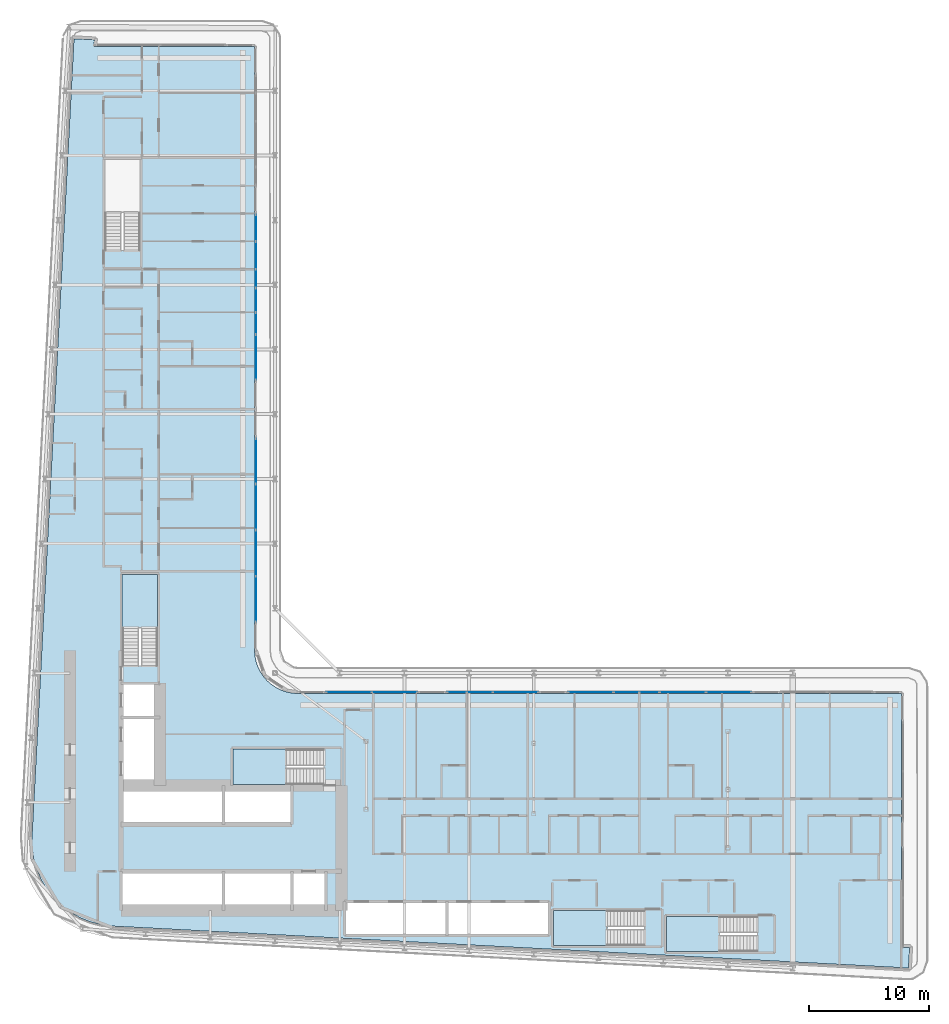
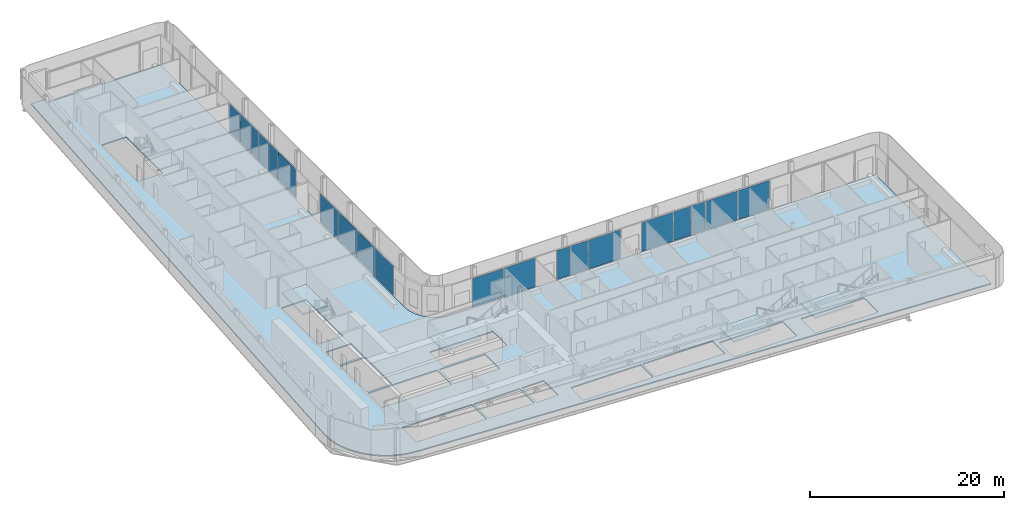
# One storey, part 10 of 27: 20 plates, 5 slabs, 12 elements without a shape of their own.
"""IFC4 building model written with IfcOpenShell, lengths in metres."""

from ifc_helpers import new_model, si_unit, direction, frame, origin, origin_2d, place, context, subcontext, project, spatial, polyline, rectangle, outline, extrude, material, layer, layer_set, type_object, element, aggregate, save


model = new_model("IFC4")

# Units and contexts
model_context = context("Model", 3, precision=1e-05, world=origin(), true_north=direction((0.0, 1.0)))
body_context = subcontext(model_context, "Body", "Model", "MODEL_VIEW")
ifc_project = project(units=[si_unit("LENGTHUNIT", "METRE"), si_unit("AREAUNIT", "SQUARE_METRE"), si_unit("VOLUMEUNIT", "CUBIC_METRE"), si_unit("PLANEANGLEUNIT", "RADIAN"), si_unit("MASSUNIT", "GRAM", prefix="KILO")], contexts=[model_context])

# Site, building, storey
site_placement = place(None, origin())
site = spatial("IfcSite", under=ifc_project, at=site_placement, CompositionType="ELEMENT")
building_placement = place(site_placement, origin())
building = spatial("IfcBuilding", under=site, at=building_placement, Name="Kheshtan School and Residences Tower", CompositionType="ELEMENT")
storey_placement = place(building_placement, frame((0.0, 0.0, 57.800048828125)))
storey = spatial("IfcBuildingStorey", under=building, at=storey_placement, Name="L13", CompositionType="ELEMENT", Elevation=57.800048828125)

# Curtain wall, plates
ifc_material_1 = material(Name="Clear low-e glass in thermally broken aluminium frame", Category="aluminium")
ifc_layer_1 = layer(ifc_material_1, 0.199951171875)
ifc_layer_set_1 = layer_set([ifc_layer_1], Name="Curtain wall CW-L")
curtain_wall_type = type_object("IfcCurtainWallType", Name="Curtain wall CW-L", PredefinedType="NOTDEFINED", material=ifc_layer_set_1)
curtain_wall_1_placement = place(storey_placement, origin())
curtain_wall_1 = element("IfcCurtainWall", 1, at=curtain_wall_1_placement, inside=storey, type_object=curtain_wall_type, Name="Curtain wall CWL8b", PredefinedType="NOTDEFINED")
ifc_layer_2 = layer(ifc_material_1, 0.031982421875)
ifc_layer_set_2 = layer_set([ifc_layer_2], Name="CW-L glass panel")
plate_type = type_object("IfcPlateType", Name="CW-L glass panel", PredefinedType="CURTAIN_PANEL", material=ifc_layer_set_2)
plate_1_placement = place(storey_placement, frame((46.0, 82.75048828125, 0.0), z_axis=(0.0, 0.0, 1.0), x_axis=(0.0, -1.0, 0.0)))
plate_1 = element("IfcPlate", 2, at=plate_1_placement, type_object=plate_type, Name="CWL8b panel 1.1", PredefinedType="CURTAIN_PANEL", context=body_context, shape_type="SweptSolid", body=[
    extrude(rectangle(XDim=2.19091796875, YDim=0.031982421875, at=origin_2d()), origin(), (0.0, 0.0, 1.0), 3.6298828125),
])
plate_2_placement = place(storey_placement, frame((46.0, 80.46240234375, 0.0), z_axis=(0.0, 0.0, 1.0), x_axis=(0.0, -1.0, 0.0)))
plate_2 = element("IfcPlate", 3, at=plate_2_placement, type_object=plate_type, Name="CWL8b panel 2.1", PredefinedType="CURTAIN_PANEL", context=body_context, shape_type="SweptSolid", body=[
    extrude(rectangle(XDim=2.264892578125, YDim=0.031982421875, at=origin_2d()), origin(), (0.0, 0.0, 1.0), 3.6298828125),
])
plate_3_placement = place(storey_placement, frame((46.0, 78.52099609375, 0.0), z_axis=(0.0, 0.0, 1.0), x_axis=(0.0, -1.0, 0.0)))
plate_3 = element("IfcPlate", 4, at=plate_3_placement, type_object=plate_type, Name="CWL8b panel 3.1", PredefinedType="CURTAIN_PANEL", context=body_context, shape_type="SweptSolid", body=[
    extrude(rectangle(XDim=1.498046875, YDim=0.031982421875, at=origin_2d()), origin(), (0.0, 0.0, 1.0), 3.6298828125),
])
aggregate(curtain_wall_1, [plate_1, plate_2, plate_3])

curtain_wall_2_placement = place(storey_placement, origin())
curtain_wall_2 = element("IfcCurtainWall", 5, at=curtain_wall_2_placement, inside=storey, type_object=curtain_wall_type, Name="Curtain wall CWL8c", PredefinedType="NOTDEFINED")
plate_4_placement = place(storey_placement, frame((46.0, 76.720947265625, 0.0), z_axis=(0.0, 0.0, 1.0), x_axis=(0.0, -1.0, 0.0)))
plate_4 = element("IfcPlate", 6, at=plate_4_placement, type_object=plate_type, Name="CWL8c panel 1.1", PredefinedType="CURTAIN_PANEL", context=body_context, shape_type="SweptSolid", body=[
    extrude(rectangle(XDim=1.98193359375, YDim=0.031982421875, at=origin_2d()), origin(), (0.0, 0.0, 1.0), 3.6298828125),
])
plate_5_placement = place(storey_placement, frame((46.0, 74.782470703125, 0.0), z_axis=(0.0, 0.0, 1.0), x_axis=(0.0, -1.0, 0.0)))
plate_5 = element("IfcPlate", 7, at=plate_5_placement, type_object=plate_type, Name="CWL8c panel 2.1", PredefinedType="CURTAIN_PANEL", context=body_context, shape_type="SweptSolid", body=[
    extrude(rectangle(XDim=1.77490234375, YDim=0.031982421875, at=origin_2d()), origin(), (0.0, 0.0, 1.0), 3.6298828125),
])
plate_6_placement = place(storey_placement, frame((46.0, 71.95654296875, 0.0), z_axis=(0.0, 0.0, 1.0), x_axis=(0.0, -1.0, 0.0)))
plate_6 = element("IfcPlate", 8, at=plate_6_placement, type_object=plate_type, Name="CWL8c panel 3.1", PredefinedType="CURTAIN_PANEL", context=body_context, shape_type="SweptSolid", body=[
    extrude(rectangle(XDim=3.757080078125, YDim=0.031982421875, at=origin_2d()), origin(), (0.0, 0.0, 1.0), 3.6298828125),
])
aggregate(curtain_wall_2, [plate_4, plate_5, plate_6])

curtain_wall_3_placement = place(storey_placement, origin())
curtain_wall_3 = element("IfcCurtainWall", 9, at=curtain_wall_3_placement, inside=storey, type_object=curtain_wall_type, Name="Curtain wall CWL8", PredefinedType="NOTDEFINED")
plate_7_placement = place(storey_placement, frame((46.0, 63.279541015625, 0.0), z_axis=(0.0, 0.0, 1.0), x_axis=(0.0, -1.0, 0.0)))
plate_7 = element("IfcPlate", 10, at=plate_7_placement, type_object=plate_type, Name="CWL8 panel 1.1", PredefinedType="CURTAIN_PANEL", context=body_context, shape_type="SweptSolid", body=[
    extrude(rectangle(XDim=3.757080078125, YDim=0.031982421875, at=origin_2d()), origin(), (0.0, 0.0, 1.0), 3.6298828125),
])
plate_8_placement = place(storey_placement, frame((46.0, 59.46240234375, 0.0), z_axis=(0.0, 0.0, 1.0), x_axis=(0.0, -1.0, 0.0)))
plate_8 = element("IfcPlate", 11, at=plate_8_placement, type_object=plate_type, Name="CWL8 panel 2.1", PredefinedType="CURTAIN_PANEL", context=body_context, shape_type="SweptSolid", body=[
    extrude(rectangle(XDim=3.757080078125, YDim=0.031982421875, at=origin_2d()), origin(), (0.0, 0.0, 1.0), 3.6298828125),
])
aggregate(curtain_wall_3, [plate_7, plate_8])

curtain_wall_4_placement = place(storey_placement, origin())
curtain_wall_4 = element("IfcCurtainWall", 12, at=curtain_wall_4_placement, inside=storey, type_object=curtain_wall_type, Name="Curtain wall CWL8", PredefinedType="NOTDEFINED")
plate_9_placement = place(storey_placement, frame((46.0, 55.615478515625, 0.0), z_axis=(0.0, 0.0, 1.0), x_axis=(0.0, -1.0, 0.0)))
plate_9 = element("IfcPlate", 13, at=plate_9_placement, type_object=plate_type, Name="CWL8 panel 1.1", PredefinedType="CURTAIN_PANEL", context=body_context, shape_type="SweptSolid", body=[
    extrude(rectangle(XDim=3.81689453125, YDim=0.031982421875, at=origin_2d()), origin(), (0.0, 0.0, 1.0), 3.6298828125),
])
plate_10_placement = place(storey_placement, frame((46.0, 51.7685546875, 0.0), z_axis=(0.0, 0.0, 1.0), x_axis=(0.0, -1.0, 0.0)))
plate_10 = element("IfcPlate", 14, at=plate_10_placement, type_object=plate_type, Name="CWL8 panel 2.1", PredefinedType="CURTAIN_PANEL", context=body_context, shape_type="SweptSolid", body=[
    extrude(rectangle(XDim=3.757080078125, YDim=0.031982421875, at=origin_2d()), origin(), (0.0, 0.0, 1.0), 3.6298828125),
])
aggregate(curtain_wall_4, [plate_9, plate_10])

curtain_wall_5_placement = place(storey_placement, origin())
curtain_wall_5 = element("IfcCurtainWall", 15, at=curtain_wall_5_placement, inside=storey, type_object=curtain_wall_type, Name="Curtain wall CWL12j", PredefinedType="NOTDEFINED")
plate_11_placement = place(storey_placement, frame((53.7685546875, 44.0, 0.0), z_axis=(0.0, 0.0, 1.0), x_axis=(1.0, 0.0, 0.0)))
plate_11 = element("IfcPlate", 16, at=plate_11_placement, type_object=plate_type, Name="CWL12j panel 1.1", PredefinedType="CURTAIN_PANEL", context=body_context, shape_type="SweptSolid", body=[
    extrude(rectangle(XDim=3.757080078125, YDim=0.031982421875, at=origin_2d()), origin(), (0.0, 0.0, 1.0), 3.6298828125),
])
plate_12_placement = place(storey_placement, frame((57.58544921875, 44.0, 0.0), z_axis=(0.0, 0.0, 1.0), x_axis=(1.0, 0.0, 0.0)))
plate_12 = element("IfcPlate", 17, at=plate_12_placement, type_object=plate_type, Name="CWL12j panel 2.1", PredefinedType="CURTAIN_PANEL", context=body_context, shape_type="SweptSolid", body=[
    extrude(rectangle(XDim=3.757080078125, YDim=0.031982421875, at=origin_2d()), origin(), (0.0, 0.0, 1.0), 3.6298828125),
])
aggregate(curtain_wall_5, [plate_11, plate_12])

curtain_wall_6_placement = place(storey_placement, origin())
curtain_wall_6 = element("IfcCurtainWall", 18, at=curtain_wall_6_placement, inside=storey, type_object=curtain_wall_type, Name="Curtain wall CWL12k", PredefinedType="NOTDEFINED")
plate_13_placement = place(storey_placement, frame((62.777099609375, 44.0, 0.0), z_axis=(0.0, 0.0, 1.0), x_axis=(1.0, 0.0, 0.0)))
plate_13 = element("IfcPlate", 19, at=plate_13_placement, type_object=plate_type, Name="CWL12k panel 1.1", PredefinedType="CURTAIN_PANEL", context=body_context, shape_type="SweptSolid", body=[
    extrude(rectangle(XDim=1.5859375, YDim=0.031982421875, at=origin_2d()), origin(), (0.0, 0.0, 1.0), 3.6298828125),
])
plate_14_placement = place(storey_placement, frame((64.685546875, 44.0, 0.0), z_axis=(0.0, 0.0, 1.0), x_axis=(1.0, 0.0, 0.0)))
plate_14 = element("IfcPlate", 20, at=plate_14_placement, type_object=plate_type, Name="CWL12k panel 2.1", PredefinedType="CURTAIN_PANEL", context=body_context, shape_type="SweptSolid", body=[
    extrude(rectangle(XDim=2.111083984375, YDim=0.031982421875, at=origin_2d()), origin(), (0.0, 0.0, 1.0), 3.6298828125),
])
plate_15_placement = place(storey_placement, frame((67.679443359375, 44.0, 0.0), z_axis=(0.0, 0.0, 1.0), x_axis=(1.0, 0.0, 0.0)))
plate_15 = element("IfcPlate", 21, at=plate_15_placement, type_object=plate_type, Name="CWL12k panel 3.1", PredefinedType="CURTAIN_PANEL", context=body_context, shape_type="SweptSolid", body=[
    extrude(rectangle(XDim=3.757080078125, YDim=0.031982421875, at=origin_2d()), origin(), (0.0, 0.0, 1.0), 3.6298828125),
])
aggregate(curtain_wall_6, [plate_13, plate_14, plate_15])

curtain_wall_7_placement = place(storey_placement, origin())
curtain_wall_7 = element("IfcCurtainWall", 22, at=curtain_wall_7_placement, inside=storey, type_object=curtain_wall_type, Name="Curtain wall CWL12k", PredefinedType="NOTDEFINED")
plate_16_placement = place(storey_placement, frame((73.95654296875, 44.0, 0.0), z_axis=(0.0, 0.0, 1.0), x_axis=(1.0, 0.0, 0.0)))
plate_16 = element("IfcPlate", 23, at=plate_16_placement, type_object=plate_type, Name="CWL12k panel 1.1", PredefinedType="CURTAIN_PANEL", context=body_context, shape_type="SweptSolid", body=[
    extrude(rectangle(XDim=3.757080078125, YDim=0.031982421875, at=origin_2d()), origin(), (0.0, 0.0, 1.0), 3.6298828125),
])
plate_17_placement = place(storey_placement, frame((76.9326171875, 44.0, 0.0), z_axis=(0.0, 0.0, 1.0), x_axis=(1.0, 0.0, 0.0)))
plate_17 = element("IfcPlate", 24, at=plate_17_placement, type_object=plate_type, Name="CWL12k panel 2.1", PredefinedType="CURTAIN_PANEL", context=body_context, shape_type="SweptSolid", body=[
    extrude(rectangle(XDim=2.074951171875, YDim=0.031982421875, at=origin_2d()), origin(), (0.0, 0.0, 1.0), 3.6298828125),
])
plate_18_placement = place(storey_placement, frame((78.841064453125, 44.0, 0.0), z_axis=(0.0, 0.0, 1.0), x_axis=(1.0, 0.0, 0.0)))
plate_18 = element("IfcPlate", 25, at=plate_18_placement, type_object=plate_type, Name="CWL12k panel 3.1", PredefinedType="CURTAIN_PANEL", context=body_context, shape_type="SweptSolid", body=[
    extrude(rectangle(XDim=1.6220703125, YDim=0.031982421875, at=origin_2d()), origin(), (0.0, 0.0, 1.0), 3.6298828125),
])
aggregate(curtain_wall_7, [plate_16, plate_17, plate_18])

curtain_wall_8_placement = place(storey_placement, origin())
curtain_wall_8 = element("IfcCurtainWall", 26, at=curtain_wall_8_placement, inside=storey, type_object=curtain_wall_type, Name="Curtain wall CWL12j", PredefinedType="NOTDEFINED")
plate_19_placement = place(storey_placement, frame((81.62060546875, 44.0, 0.0), z_axis=(0.0, 0.0, 1.0), x_axis=(1.0, 0.0, 0.0)))
plate_19 = element("IfcPlate", 27, at=plate_19_placement, type_object=plate_type, Name="CWL12j panel 1.1", PredefinedType="CURTAIN_PANEL", context=body_context, shape_type="SweptSolid", body=[
    extrude(rectangle(XDim=3.81689453125, YDim=0.031982421875, at=origin_2d()), origin(), (0.0, 0.0, 1.0), 3.6298828125),
])
plate_20_placement = place(storey_placement, frame((85.467529296875, 44.0, 0.0), z_axis=(0.0, 0.0, 1.0), x_axis=(1.0, 0.0, 0.0)))
plate_20 = element("IfcPlate", 28, at=plate_20_placement, type_object=plate_type, Name="CWL12j panel 2.1", PredefinedType="CURTAIN_PANEL", context=body_context, shape_type="SweptSolid", body=[
    extrude(rectangle(XDim=3.757080078125, YDim=0.031982421875, at=origin_2d()), origin(), (0.0, 0.0, 1.0), 3.6298828125),
])
aggregate(curtain_wall_8, [plate_19, plate_20])

# Slab
ifc_material_2 = material(Name="Concrete C40/50", Category="concrete")
ifc_layer_3 = layer(ifc_material_2, 0.14990234375)
ifc_layer_set_3 = layer_set([ifc_layer_3], Name="Floor slab 150 Concrete C40/50")
slab_type_1 = type_object("IfcSlabType", Name="Floor slab 150 Concrete C40/50", PredefinedType="FLOOR", material=ifc_layer_set_3)
slab_1_placement = place(storey_placement, frame((0.0, 0.0, -0.150146484375)))
element("IfcSlab", 29, at=slab_1_placement, inside=storey, type_object=slab_type_1, Name="Floor slab L13", PredefinedType="FLOOR", context=body_context, shape_type="SweptSolid", body=[
    extrude(outline(polyline([(27.718017578125, 29.200927734375), (27.466064453125, 30.093017578125), (27.466064453125, 30.093994140625), (27.3330078125, 31.013916015625), (27.320068359375, 31.965087890625), (27.320068359375, 31.970947265625), (30.822021484375, 98.5009765625), (30.822998046875, 98.508056640625), (30.825927734375, 98.531005859375), (30.825927734375, 98.531982421875), (30.826904296875, 98.531982421875), (31.422119140625, 98.5), (31.423095703125, 98.5), (31.423095703125, 98.4990234375), (31.423095703125, 98.4951171875), (31.423095703125, 98.493896484375), (31.424072265625, 98.493896484375), (31.424072265625, 98.492919921875), (31.425048828125, 98.492919921875), (31.426025390625, 98.492919921875), (31.426025390625, 98.493896484375), (31.427978515625, 98.49609375), (31.428955078125, 98.4970703125), (31.429931640625, 98.498046875), (31.430908203125, 98.498046875), (31.430908203125, 98.4990234375), (31.431884765625, 98.4990234375), (31.431884765625, 98.5), (31.43505859375, 98.5009765625), (31.43603515625, 98.501953125), (31.43896484375, 98.501953125), (31.43994140625, 98.501953125), (31.43994140625, 98.5029296875), (31.44091796875, 98.5029296875), (31.446044921875, 98.5029296875), (32.5009765625, 98.447021484375), (32.50390625, 98.447021484375), (32.5048828125, 98.447021484375), (32.5048828125, 98.446044921875), (32.506103515625, 98.446044921875), (32.510009765625, 98.446044921875), (32.510009765625, 98.445068359375), (32.510986328125, 98.445068359375), (32.510986328125, 98.444091796875), (32.511962890625, 98.444091796875), (32.511962890625, 98.443115234375), (32.512939453125, 98.443115234375), (32.513916015625, 98.443115234375), (32.513916015625, 98.44189453125), (32.514892578125, 98.44189453125), (32.51611328125, 98.44189453125), (32.51904296875, 98.43896484375), (32.51904296875, 98.43798828125), (32.51904296875, 98.43701171875), (32.52001953125, 98.43701171875), (32.52001953125, 98.43603515625), (32.52099609375, 98.43603515625), (32.52099609375, 98.43408203125), (32.52099609375, 98.43310546875), (32.52197265625, 98.43310546875), (32.52197265625, 98.431884765625), (32.52294921875, 98.431884765625), (32.52294921875, 98.430908203125), (32.52294921875, 98.428955078125), (32.52294921875, 98.427978515625), (32.52392578125, 98.427978515625), (32.52392578125, 98.427001953125), (32.52392578125, 98.422119140625), (32.4970703125, 97.9208984375), (32.4970703125, 97.91796875), (32.4970703125, 97.9169921875), (32.49609375, 97.9169921875), (32.49609375, 97.916015625), (32.49609375, 97.912109375), (32.4951171875, 97.910888671875), (32.4951171875, 97.909912109375), (32.493896484375, 97.909912109375), (32.493896484375, 97.908935546875), (32.492919921875, 97.908935546875), (32.492919921875, 97.907958984375), (32.489013671875, 97.904052734375), (32.488037109375, 97.904052734375), (32.488037109375, 97.903076171875), (32.488037109375, 97.902099609375), (32.488037109375, 97.90087890625), (32.489013671875, 97.90087890625), (32.489013671875, 97.89990234375), (32.489990234375, 97.89990234375), (45.85498046875, 97.89990234375), (45.864990234375, 97.89794921875), (45.865966796875, 97.89794921875), (45.868896484375, 97.89599609375), (45.8740234375, 97.89404296875), (45.8779296875, 97.89208984375), (45.881103515625, 97.889892578125), (45.881103515625, 97.888916015625), (45.882080078125, 97.888916015625), (45.882080078125, 97.887939453125), (45.883056640625, 97.887939453125), (45.884033203125, 97.885009765625), (45.885009765625, 97.885009765625), (45.885009765625, 97.884033203125), (45.887939453125, 97.883056640625), (45.887939453125, 97.882080078125), (45.888916015625, 97.882080078125), (45.888916015625, 97.881103515625), (45.889892578125, 97.881103515625), (45.89208984375, 97.8779296875), (45.89404296875, 97.8740234375), (45.89599609375, 97.868896484375), (45.89794921875, 97.865966796875), (45.89794921875, 97.864990234375), (45.89990234375, 97.85498046875), (45.89990234375, 47.429931640625), (45.927001953125, 47.030029296875), (46.01806640625, 46.570068359375), (46.01806640625, 46.569091796875), (46.169921875, 46.1201171875), (46.37890625, 45.697021484375), (46.638916015625, 45.30810546875), (46.949951171875, 44.950927734375), (46.950927734375, 44.949951171875), (47.30810546875, 44.638916015625), (47.697021484375, 44.37890625), (48.1201171875, 44.169921875), (48.569091796875, 44.01806640625), (48.570068359375, 44.01806640625), (49.030029296875, 43.927001953125), (49.429931640625, 43.89990234375), (99.85498046875, 43.89990234375), (99.864990234375, 43.89794921875), (99.865966796875, 43.89794921875), (99.868896484375, 43.89599609375), (99.8740234375, 43.89404296875), (99.8779296875, 43.89208984375), (99.881103515625, 43.889892578125), (99.881103515625, 43.888916015625), (99.882080078125, 43.888916015625), (99.882080078125, 43.887939453125), (99.883056640625, 43.887939453125), (99.884033203125, 43.885009765625), (99.885009765625, 43.885009765625), (99.885009765625, 43.884033203125), (99.887939453125, 43.883056640625), (99.887939453125, 43.882080078125), (99.888916015625, 43.882080078125), (99.888916015625, 43.881103515625), (99.889892578125, 43.881103515625), (99.89208984375, 43.8779296875), (99.89404296875, 43.8740234375), (99.89599609375, 43.868896484375), (99.89794921875, 43.865966796875), (99.89794921875, 43.864990234375), (99.89990234375, 43.85498046875), (99.89990234375, 22.708984375), (99.89990234375, 22.7080078125), (99.90087890625, 22.7080078125), (99.90087890625, 22.70703125), (99.902099609375, 22.70703125), (99.903076171875, 22.70703125), (99.903076171875, 22.7080078125), (99.905029296875, 22.7099609375), (99.906982421875, 22.7119140625), (99.907958984375, 22.7119140625), (99.907958984375, 22.712890625), (99.908935546875, 22.712890625), (99.908935546875, 22.714111328125), (99.909912109375, 22.714111328125), (99.912109375, 22.715087890625), (99.9130859375, 22.716064453125), (99.916015625, 22.716064453125), (99.9169921875, 22.716064453125), (99.9169921875, 22.717041015625), (99.91796875, 22.717041015625), (99.923095703125, 22.717041015625), (100.5380859375, 22.68408203125), (100.541015625, 22.68408203125), (100.5419921875, 22.68408203125), (100.5419921875, 22.68310546875), (100.54296875, 22.68310546875), (100.547119140625, 22.68310546875), (100.547119140625, 22.681884765625), (100.548095703125, 22.681884765625), (100.548095703125, 22.680908203125), (100.549072265625, 22.680908203125), (100.549072265625, 22.679931640625), (100.550048828125, 22.679931640625), (100.551025390625, 22.679931640625), (100.551025390625, 22.678955078125), (100.552001953125, 22.678955078125), (100.552978515625, 22.678955078125), (100.552978515625, 22.677978515625), (100.554931640625, 22.676025390625), (100.555908203125, 22.676025390625), (100.555908203125, 22.675048828125), (100.555908203125, 22.674072265625), (100.556884765625, 22.674072265625), (100.556884765625, 22.673095703125), (100.55810546875, 22.673095703125), (100.55810546875, 22.6708984375), (100.55810546875, 22.669921875), (100.55908203125, 22.669921875), (100.55908203125, 22.6689453125), (100.56005859375, 22.6689453125), (100.56005859375, 22.66796875), (100.56005859375, 22.666015625), (100.56005859375, 22.6650390625), (100.56103515625, 22.6650390625), (100.56103515625, 22.6640625), (100.56103515625, 22.658935546875), (100.5048828125, 21.60205078125), (100.5048828125, 21.59912109375), (100.5048828125, 21.597900390625), (100.50390625, 21.597900390625), (100.50390625, 21.596923828125), (100.50390625, 21.593017578125), (100.5029296875, 21.592041015625), (100.5029296875, 21.591064453125), (100.501953125, 21.591064453125), (100.501953125, 21.590087890625), (100.5009765625, 21.590087890625), (100.5009765625, 21.589111328125), (100.5, 21.587890625), (100.498046875, 21.5859375), (100.4970703125, 21.5849609375), (100.49609375, 21.5849609375), (100.49609375, 21.583984375), (100.49609375, 21.5830078125), (100.49609375, 21.58203125), (100.4970703125, 21.58203125), (100.4970703125, 21.5810546875), (100.498046875, 21.5810546875), (100.4990234375, 21.5810546875), (100.5, 21.5810546875), (100.5, 21.580078125), (100.468017578125, 20.985107421875), (100.468017578125, 20.98388671875), (100.467041015625, 20.98388671875), (100.443115234375, 20.98291015625), (100.43798828125, 20.98291015625), (34.056884765625, 24.47802734375), (33.114990234375, 24.590087890625), (32.215087890625, 24.819091796875), (32.214111328125, 24.819091796875), (31.35205078125, 25.1630859375), (30.541015625, 25.616943359375), (29.799072265625, 26.1708984375), (29.799072265625, 26.172119140625), (29.798095703125, 26.172119140625), (29.134033203125, 26.820068359375), (29.134033203125, 26.821044921875), (29.133056640625, 26.821044921875), (28.55908203125, 27.550048828125), (28.0849609375, 28.345947265625), (27.718017578125, 29.200927734375)]), holes=[polyline([(99.89990234375, 21.5869140625), (99.89990234375, 21.5830078125), (99.89990234375, 21.58203125), (99.90087890625, 21.58203125), (99.90087890625, 21.5810546875), (99.902099609375, 21.5810546875), (99.906005859375, 21.5810546875), (99.906982421875, 21.5810546875), (99.906982421875, 21.58203125), (99.907958984375, 21.58203125), (99.907958984375, 21.5830078125), (99.907958984375, 21.583984375), (99.906982421875, 21.583984375), (99.905029296875, 21.5859375), (99.904052734375, 21.5869140625), (99.903076171875, 21.587890625), (99.903076171875, 21.589111328125), (99.902099609375, 21.589111328125), (99.90087890625, 21.589111328125), (99.90087890625, 21.587890625), (99.89990234375, 21.587890625), (99.89990234375, 21.5869140625)]), polyline([(31.423095703125, 97.906005859375), (31.423095703125, 97.902099609375), (31.423095703125, 97.90087890625), (31.424072265625, 97.90087890625), (31.424072265625, 97.89990234375), (31.425048828125, 97.89990234375), (31.428955078125, 97.89990234375), (31.429931640625, 97.89990234375), (31.429931640625, 97.90087890625), (31.430908203125, 97.90087890625), (31.430908203125, 97.902099609375), (31.430908203125, 97.903076171875), (31.429931640625, 97.903076171875), (31.428955078125, 97.904052734375), (31.427978515625, 97.905029296875), (31.427001953125, 97.906005859375), (31.426025390625, 97.906982421875), (31.426025390625, 97.907958984375), (31.425048828125, 97.907958984375), (31.424072265625, 97.907958984375), (31.424072265625, 97.906982421875), (31.423095703125, 97.906982421875), (31.423095703125, 97.906005859375)]), polyline([(34.875, 28.925048828125), (34.875, 25.925048828125), (43.175048828125, 25.925048828125), (43.175048828125, 28.925048828125), (34.875, 28.925048828125)]), polyline([(43.425048828125, 25.925048828125), (48.875, 25.925048828125), (48.875, 28.925048828125), (43.425048828125, 28.925048828125), (43.425048828125, 25.925048828125)]), polyline([(43.175048828125, 36.074951171875), (34.875, 36.074951171875), (34.875, 33.074951171875), (43.175048828125, 33.074951171875), (43.175048828125, 36.074951171875)]), polyline([(34.875, 41.77490234375), (34.875, 36.324951171875), (37.875, 36.324951171875), (37.875, 41.77490234375), (34.875, 41.77490234375)]), polyline([(34.875, 44.625), (34.875, 42.02490234375), (37.875, 42.02490234375), (37.875, 44.625), (34.875, 44.625)]), polyline([(37.800048828125, 46.25), (37.800048828125, 53.81005859375), (34.85009765625, 53.81005859375), (34.85009765625, 46.260009765625), (36.25, 46.260009765625), (36.25, 46.25), (37.800048828125, 46.25)]), polyline([(33.39990234375, 88.4599609375), (33.39990234375, 80.909912109375), (34.800048828125, 80.909912109375), (34.800048828125, 80.89990234375), (36.35009765625, 80.89990234375), (36.35009765625, 88.4599609375), (33.39990234375, 88.4599609375)]), polyline([(87.81005859375, 22.35009765625), (87.81005859375, 23.75), (87.820068359375, 23.75), (87.820068359375, 25.300048828125), (80.260009765625, 25.300048828125), (80.260009765625, 22.35009765625), (87.81005859375, 22.35009765625)]), polyline([(70.85009765625, 22.85009765625), (78.39990234375, 22.85009765625), (78.39990234375, 24.25), (78.409912109375, 24.25), (78.409912109375, 25.800048828125), (70.85009765625, 25.800048828125), (70.85009765625, 22.85009765625)]), polyline([(61.824951171875, 26.425048828125), (53.52490234375, 26.425048828125), (53.52490234375, 23.824951171875), (61.824951171875, 23.824951171875), (61.824951171875, 26.425048828125)]), polyline([(62.074951171875, 23.824951171875), (70.375, 23.824951171875), (70.375, 26.425048828125), (62.074951171875, 26.425048828125), (62.074951171875, 23.824951171875)]), polyline([(49.125, 28.925048828125), (49.125, 25.925048828125), (51.72509765625, 25.925048828125), (51.72509765625, 28.925048828125), (49.125, 28.925048828125)]), polyline([(43.425048828125, 33.074951171875), (48.875, 33.074951171875), (48.875, 36.074951171875), (43.425048828125, 36.074951171875), (43.425048828125, 33.074951171875)]), polyline([(51.64990234375, 39.25), (44.090087890625, 39.25), (44.090087890625, 36.300048828125), (51.639892578125, 36.300048828125), (51.639892578125, 37.699951171875), (51.64990234375, 37.699951171875), (51.64990234375, 39.25)])]), origin(), (0.0, 0.0, 1.0), 0.150146484375),
])

# Stair, slab
stair_type = type_object("IfcStairType", Name="Exit stair, half-turn", PredefinedType="HALF_TURN_STAIR", material=ifc_material_2)
stair_1_placement = place(storey_placement, origin())
stair_1 = element("IfcStair", 30, at=stair_1_placement, inside=storey, type_object=stair_type, Name="L13 Protected Exit Stair ST1", PredefinedType="HALF_TURN_STAIR")
ifc_layer_4 = layer(ifc_material_2, 0.199951171875)
ifc_layer_set_4 = layer_set([ifc_layer_4], Name="Stair landing 200 Concrete C40/50")
slab_type_2 = type_object("IfcSlabType", Name="Stair landing 200 Concrete C40/50", PredefinedType="LANDING", material=ifc_layer_set_4)
slab_2_placement = place(storey_placement, frame((0.0, 0.0, 1.75)))
slab_2 = element("IfcSlab", 31, at=slab_2_placement, type_object=slab_type_2, Name="ST1 landing 1", PredefinedType="LANDING", context=body_context, shape_type="SweptSolid", body=[
    extrude(outline(polyline([(48.570068359375, 39.25), (44.090087890625, 39.25), (44.090087890625, 36.300048828125), (48.570068359375, 36.300048828125), (48.570068359375, 39.25)])), origin(), (0.0, 0.0, 1.0), 0.199951171875),
])
aggregate(stair_1, [slab_2])

stair_2_placement = place(storey_placement, origin())
stair_2 = element("IfcStair", 32, at=stair_2_placement, inside=storey, type_object=stair_type, Name="L13 Protected Exit Stair ST2", PredefinedType="HALF_TURN_STAIR")
slab_3_placement = place(storey_placement, frame((0.0, 0.0, 1.75)))
slab_3 = element("IfcSlab", 33, at=slab_3_placement, type_object=slab_type_2, Name="ST2 landing 1", PredefinedType="LANDING", context=body_context, shape_type="SweptSolid", body=[
    extrude(outline(polyline([(37.800048828125, 49.330078125), (37.800048828125, 53.81005859375), (34.85009765625, 53.81005859375), (34.85009765625, 49.330078125), (37.800048828125, 49.330078125)])), origin(), (0.0, 0.0, 1.0), 0.199951171875),
])
aggregate(stair_2, [slab_3])

stair_3_placement = place(storey_placement, origin())
stair_3 = element("IfcStair", 34, at=stair_3_placement, inside=storey, type_object=stair_type, Name="L13 Protected Exit Stair ST4", PredefinedType="HALF_TURN_STAIR")
slab_4_placement = place(storey_placement, frame((0.0, 0.0, 1.75)))
slab_4 = element("IfcSlab", 35, at=slab_4_placement, type_object=slab_type_2, Name="ST4 landing 1", PredefinedType="LANDING", context=body_context, shape_type="SweptSolid", body=[
    extrude(outline(polyline([(84.739990234375, 25.300048828125), (80.260009765625, 25.300048828125), (80.260009765625, 22.35009765625), (84.739990234375, 22.35009765625), (84.739990234375, 25.300048828125)])), origin(), (0.0, 0.0, 1.0), 0.199951171875),
])
aggregate(stair_3, [slab_4])

stair_4_placement = place(storey_placement, origin())
stair_4 = element("IfcStair", 36, at=stair_4_placement, inside=storey, type_object=stair_type, Name="L13 Protected Exit Stair ST5", PredefinedType="HALF_TURN_STAIR")
slab_5_placement = place(storey_placement, frame((0.0, 0.0, 1.75)))
slab_5 = element("IfcSlab", 37, at=slab_5_placement, type_object=slab_type_2, Name="ST5 landing 1", PredefinedType="LANDING", context=body_context, shape_type="SweptSolid", body=[
    extrude(outline(polyline([(75.330078125, 25.800048828125), (70.85009765625, 25.800048828125), (70.85009765625, 22.85009765625), (75.330078125, 22.85009765625), (75.330078125, 25.800048828125)])), origin(), (0.0, 0.0, 1.0), 0.199951171875),
])
aggregate(stair_4, [slab_5])

save(model, "model.ifc")
